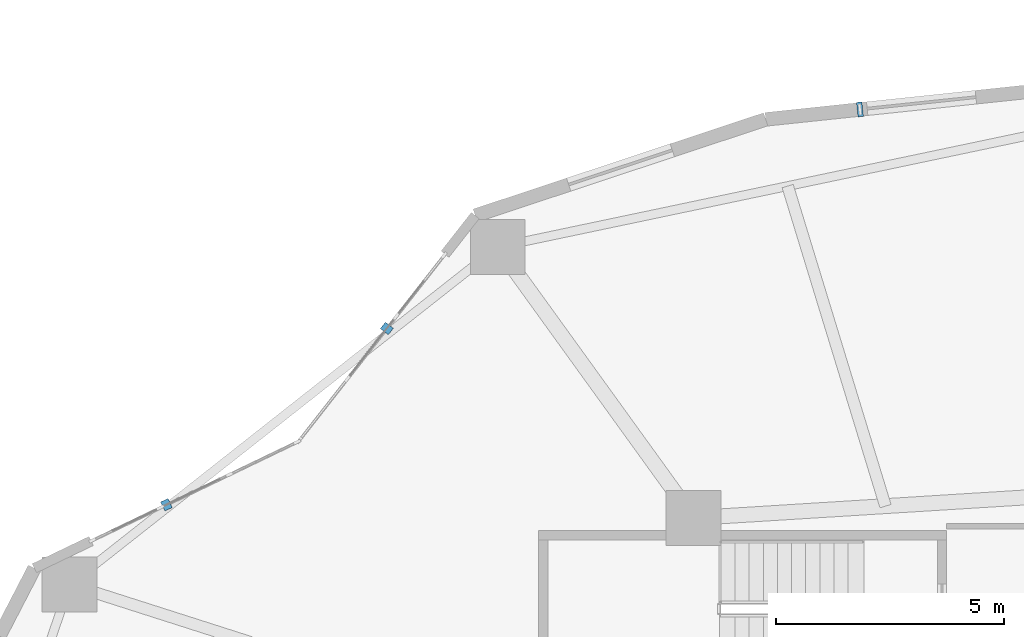
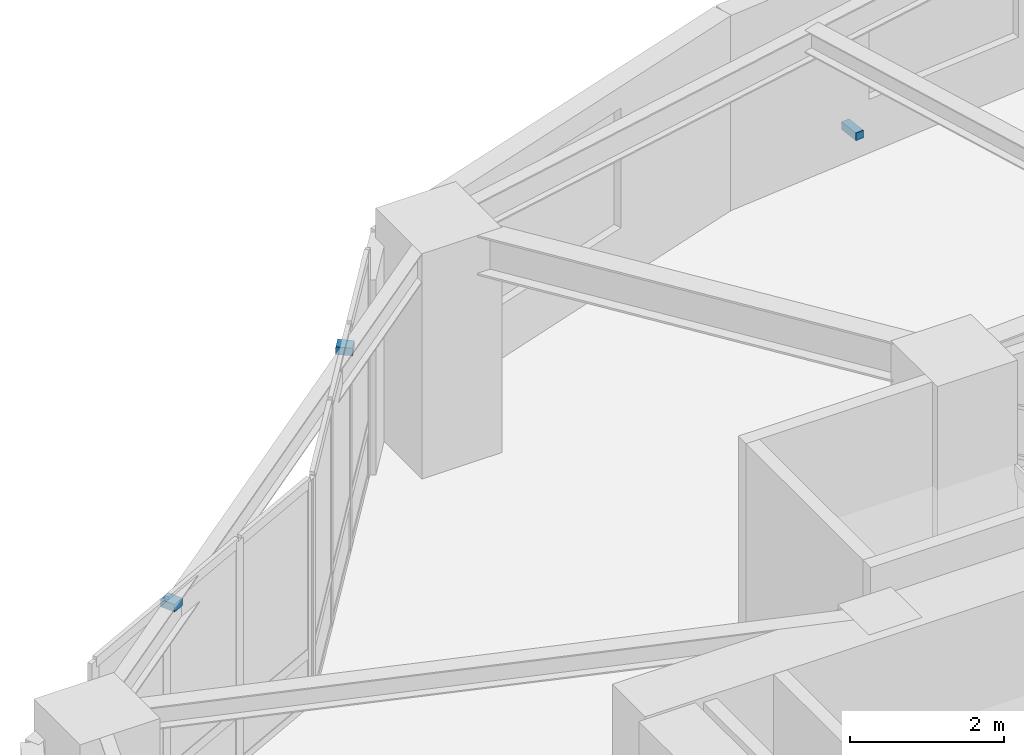
# One storey, part 14 of 18: 3 discrete accessories.
"""IFC4 building model written with IfcOpenShell, lengths in metres."""

from ifc_helpers import new_model, si_unit, direction, frame, origin, origin_2d, place, context, subcontext, project, spatial, rectangle, extrude, material, type_object, element, save


model = new_model("IFC4")

# Units and contexts
model_context = context("Model", 3, precision=1e-05, world=origin(), true_north=direction((0.0, 1.0)))
body_context = subcontext(model_context, "Body", "Model", "MODEL_VIEW")
ifc_project = project(units=[si_unit("LENGTHUNIT", "METRE"), si_unit("AREAUNIT", "SQUARE_METRE"), si_unit("VOLUMEUNIT", "CUBIC_METRE"), si_unit("PLANEANGLEUNIT", "RADIAN"), si_unit("MASSUNIT", "GRAM", prefix="KILO")], contexts=[model_context])

# Site, building, storey
site_placement = place(None, origin())
site = spatial("IfcSite", under=ifc_project, at=site_placement, CompositionType="ELEMENT")
building_placement = place(site_placement, origin())
building = spatial("IfcBuilding", under=site, at=building_placement, Name="Kolvaren Gate Tower and Convention Centre", CompositionType="ELEMENT")
storey_placement = place(building_placement, frame((0.0, 0.0, 53.449951171875)))
storey = spatial("IfcBuildingStorey", under=building, at=storey_placement, Name="L12", CompositionType="ELEMENT", Elevation=53.449951171875)

# Discrete accessories
ifc_material = material(Name="Anodized Architectural Aluminium Alloy 6063-T6", Category="aluminium")
discrete_accessory_type = type_object("IfcDiscreteAccessoryType", Name="ARCH-ACC-BRACKET-120", PredefinedType="BRACKET", material=ifc_material)
discrete_accessory_placement = place(storey_placement, frame((25.35107421875, 47.647216796875, 0.2900390625), z_axis=(0.0, 0.0, 1.0), x_axis=(0.994498884311, 0.104747167526, 0.0)))
element("IfcDiscreteAccessory", 1, at=discrete_accessory_placement, inside=storey, type_object=discrete_accessory_type, Name="Ceramic Fin Wall Anchor Bracket FBK-L12-06", PredefinedType="BRACKET", context=body_context, shape_type="SweptSolid", body=[
    extrude(rectangle(XDim=0.1201171875, YDim=0.320068359375, at=origin_2d()), origin(), (0.0, 0.0, 1.0), 0.1201171875),
])
for number, where, z_axis, x_axis, name in (
    (2, (14.96630859375, 42.83837890625, 3.389892578125), (0.0, 0.0, 1.0), (0.61644236478, 0.787400032325, 0.0), "Solar Screen Spandrel Anchor Bracket BK-L12-08"),
    (3, (10.127685546875, 38.967529296875, 3.389892578125), (0.0, 0.0, 1.0), (0.901357634097, 0.433075530889, 0.0), "Solar Screen Spandrel Anchor Bracket BK-L12-09"),
):
    element("IfcDiscreteAccessory", number, at=place(storey_placement, frame(where, z_axis=z_axis, x_axis=x_axis)), inside=storey, type_object=discrete_accessory_type, Name=name, PredefinedType="BRACKET", context=body_context, shape_type="SweptSolid", body=[
        extrude(rectangle(XDim=0.179931640625, YDim=0.219970703125, at=origin_2d()), origin(), (0.0, 0.0, 1.0), 0.1201171875),
    ])

save(model, "model.ifc")
